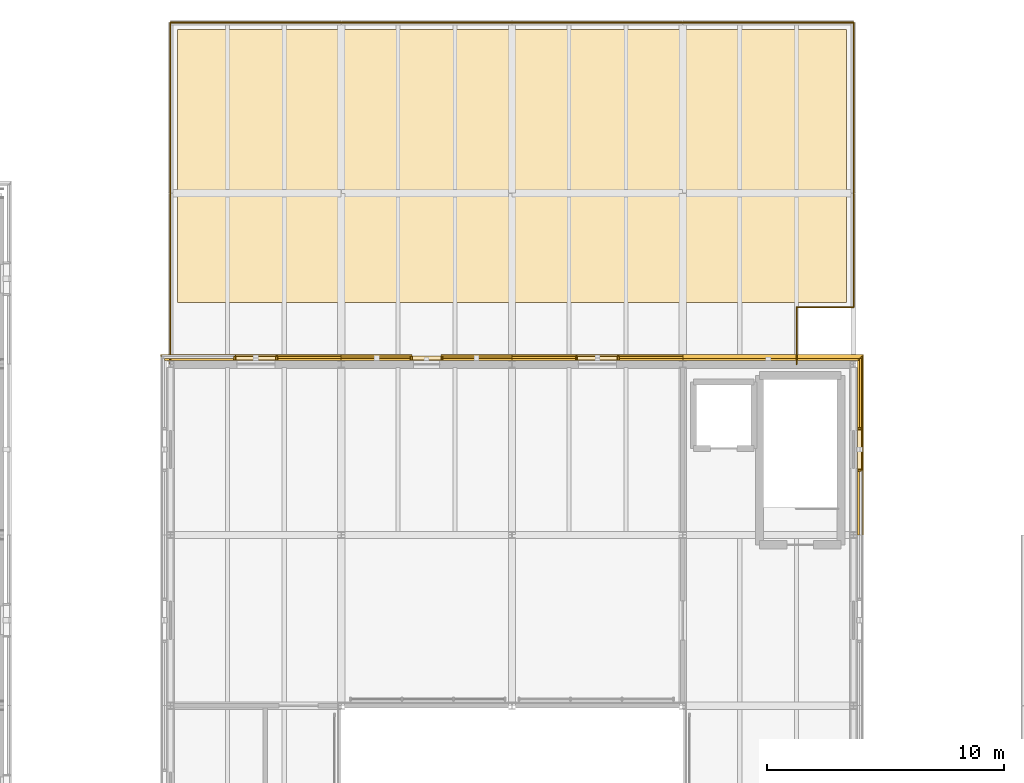
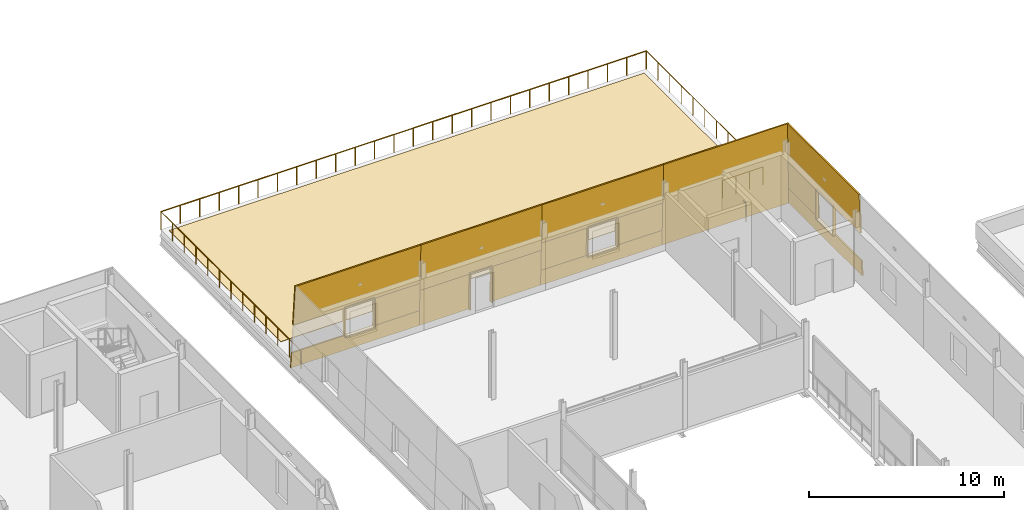
# One storey, part 65 of 66: 30 coverings, 5 railings.
"""IFC4 building model written with IfcOpenShell, lengths in metres."""

import ifcopenshell
import ifcopenshell.guid

model = None  # the IFC model being written
_history = None  # IfcOwnerHistory: only IFC2X3 demands one
_inside = {}  # id of a spatial element -> (the spatial element, [elements in it])
_under = {}  # id of a project, library or spatial element -> (it, [spatial elements below it])
_declared = {}  # id of a project -> (the project, [libraries it declares])
_typed = {}  # id of a type object -> (the type object, [elements of that type])
_made_of = {}  # id of a material, layer set ... -> (it, [elements and type objects made of it])


def new_model(schema):
    """Start an empty IFC model of exactly this schema.

    Asked for "IFC4X3", IfcOpenShell would pick the latest addendum, in which some entities
    have other attributes; the version numbers below select the first issue.
    IFC2X3 requires an IfcOwnerHistory on every rooted entity: one is made here for all.
    """
    global model, _history
    if schema == "IFC4X3":
        model = ifcopenshell.file(schema_version=(4, 3, 0, 0))
    else:
        model = ifcopenshell.file(schema=schema)
    _inside.clear()
    _under.clear()
    _declared.clear()
    _typed.clear()
    _made_of.clear()
    _history = None
    if model.schema == "IFC2X3":
        org = make("IfcOrganization", Name="unknown")
        user = make(
            "IfcPersonAndOrganization",
            ThePerson=make("IfcPerson", FamilyName="unknown"),
            TheOrganization=org,
        )
        app = make(
            "IfcApplication",
            ApplicationDeveloper=org,
            Version="unknown",
            ApplicationFullName="unknown",
            ApplicationIdentifier="unknown",
        )
        _history = make(
            "IfcOwnerHistory",
            OwningUser=user,
            OwningApplication=app,
            ChangeAction="ADDED",
            CreationDate=0,
        )
    return model


def make(cls, **values):
    """One entity of the class cls with the attributes given. An attribute that is None is left unset."""
    return model.create_entity(
        cls, **{name: value for name, value in values.items() if value is not None}
    )


def rooted(cls, **values):
    """An entity with a GlobalId (a new one), such as an element, a storey or a relation."""
    return make(cls, GlobalId=ifcopenshell.guid.new(), OwnerHistory=_history, **values)


def si_unit(unit_type, name, prefix=None):
    """IfcSIUnit, for example si_unit("LENGTHUNIT", "METRE", prefix="MILLI")."""
    return make("IfcSIUnit", UnitType=unit_type, Prefix=prefix, Name=name)


def assignment(units):
    """IfcUnitAssignment: the units of a project."""
    return None if units is None else make("IfcUnitAssignment", Units=units)


def point(xyz):
    """IfcCartesianPoint."""
    return None if xyz is None else make("IfcCartesianPoint", Coordinates=xyz)


def direction(xyz):
    """IfcDirection."""
    return None if xyz is None else make("IfcDirection", DirectionRatios=xyz)


def frame(location, z_axis=None, x_axis=None):
    """IfcAxis2Placement3D, a coordinate frame: its origin and axes. An axis left out is left unset."""
    return make(
        "IfcAxis2Placement3D",
        Location=point(location),
        Axis=direction(z_axis),
        RefDirection=direction(x_axis),
    )


def frame_2d(location, x_axis=None):
    """IfcAxis2Placement2D, a coordinate frame in the plane: its origin and x axis."""
    return make(
        "IfcAxis2Placement2D", Location=point(location), RefDirection=direction(x_axis)
    )


def origin():
    """The frame at (0, 0, 0) with its axes left unset."""
    return frame((0.0, 0.0, 0.0))


def origin_2d():
    """The frame at (0, 0) in the plane with its x axis left unset."""
    return frame_2d((0.0, 0.0))


def place(relative_to, where):
    """IfcLocalPlacement: puts the frame where relative to a parent placement (None: the world)."""
    return make(
        "IfcLocalPlacement", PlacementRelTo=relative_to, RelativePlacement=where
    )


def context(
    kind, dimensions, precision=None, world=None, true_north=None, identifier=None
):
    """IfcGeometricRepresentationContext, for example the 3D "Model" context."""
    return make(
        "IfcGeometricRepresentationContext",
        ContextIdentifier=identifier,
        ContextType=kind,
        CoordinateSpaceDimension=dimensions,
        Precision=precision,
        WorldCoordinateSystem=world,
        TrueNorth=true_north,
    )


def subcontext(parent, identifier, kind, view, scale=None):
    """IfcGeometricRepresentationSubContext, for example "Body" below "Model"."""
    return make(
        "IfcGeometricRepresentationSubContext",
        ContextIdentifier=identifier,
        ContextType=kind,
        ParentContext=parent,
        TargetScale=scale,
        TargetView=view,
    )


def project(units=None, contexts=None):
    """IfcProject with its units and contexts."""
    return rooted(
        "IfcProject",
        Name="project",
        RepresentationContexts=contexts,
        UnitsInContext=assignment(units),
    )


def spatial(cls, under=None, at=None, **own):
    """A site, building, storey or space (cls), placed at a placement, below another one or the project."""
    s = rooted(cls, ObjectPlacement=at, **own)
    if under is not None:
        _under.setdefault(under.id(), (under, []))[1].append(s)
    return s


def polyline(points):
    """IfcPolyline through the points."""
    return make("IfcPolyline", Points=[point(p) for p in points])


def profile(cls, at=None, kind="AREA", **sizes):
    """A parametric profile (cls). Its sizes go by their IFC names, for example OverallWidth=200.0."""
    return make(cls, ProfileType=kind, Position=at, **sizes)


def circle(**sizes):
    """IfcCircleProfileDef."""
    return profile("IfcCircleProfileDef", **sizes)


def outline(outer, holes=None, kind="AREA"):
    """IfcArbitraryClosedProfileDef: a profile drawn as a closed curve; with holes, ...WithVoids."""
    if holes is None:
        return make("IfcArbitraryClosedProfileDef", ProfileType=kind, OuterCurve=outer)
    return make(
        "IfcArbitraryProfileDefWithVoids",
        ProfileType=kind,
        OuterCurve=outer,
        InnerCurves=holes,
    )


def extrude(swept, where, along, depth):
    """IfcExtrudedAreaSolid: the profile swept, set in the frame where, extruded along a direction by depth."""
    return make(
        "IfcExtrudedAreaSolid",
        SweptArea=swept,
        Position=where,
        ExtrudedDirection=direction(along),
        Depth=depth,
    )


def shape(context_of_items, identifier, shape_type, items):
    """IfcShapeRepresentation: the items that make up one representation, for example the "Body"."""
    return make(
        "IfcShapeRepresentation",
        ContextOfItems=context_of_items,
        RepresentationIdentifier=identifier,
        RepresentationType=shape_type,
        Items=items,
    )


def material(Name=None, Category=None):
    """IfcMaterial."""
    return make("IfcMaterial", Name=Name, Category=Category)


def layer(
    of_material, thickness, ventilated=None, Name=None, Category=None, Priority=None
):
    """IfcMaterialLayer: one layer of a wall or slab, of a material (None: an air gap)."""
    return make(
        "IfcMaterialLayer",
        Material=of_material,
        LayerThickness=thickness,
        IsVentilated=ventilated,
        Name=Name,
        Category=Category,
        Priority=Priority,
    )


def layer_set(layers, Name=None):
    """IfcMaterialLayerSet."""
    return make("IfcMaterialLayerSet", MaterialLayers=layers, LayerSetName=Name)


def made_of(thing, what):
    """Note that an element or type object is made of a material, layer set ...; save() writes the relation."""
    if what is not None:
        _made_of.setdefault(what.id(), (what, []))[1].append(thing)
    return thing


def type_object(cls, material=None, **own):
    """A type object (cls), such as IfcWallType, which elements share."""
    return made_of(rooted(cls, **own), material)


def element(
    cls,
    number,
    at=None,
    inside=None,
    cuts=None,
    type_object=None,
    material=None,
    context=None,
    identifier="Body",
    shape_type=None,
    held_by="IfcProductDefinitionShape",
    body=None,
    shapes=None,
    **own,
):
    """One element of the class cls, such as IfcWall. Its Tag is "e" and its number.

    at: its placement. inside: the storey or other place that contains it. cuts: it is an
    opening in that element (IfcRelVoidsElement). A single representation is given by context,
    identifier, shape_type and body (its items); several are given by shapes. held_by: the class
    of the entity that holds the representations. save() writes the other relations.
    """
    e = rooted(cls, Tag="e%d" % number, ObjectPlacement=at, **own)
    if body is not None:
        shapes = [shape(context, identifier, shape_type, body)]
    if shapes is not None:
        e.Representation = make(held_by, Representations=shapes)
    if inside is not None:
        _inside.setdefault(inside.id(), (inside, []))[1].append(e)
    if cuts is not None:
        rooted(
            "IfcRelVoidsElement", RelatingBuildingElement=cuts, RelatedOpeningElement=e
        )
    if type_object is not None:
        _typed.setdefault(type_object.id(), (type_object, []))[1].append(e)
    return made_of(e, material)


def aggregate(whole, parts):
    """IfcRelAggregates: a whole, such as a stair, and the parts it consists of."""
    return rooted("IfcRelAggregates", RelatingObject=whole, RelatedObjects=parts)


def save(model, path):
    """Write the relations noted so far, then the file.

    IfcRelAggregates (storeys below a building ...), IfcRelContainedInSpatialStructure (elements
    in a storey), IfcRelDefinesByType, IfcRelAssociatesMaterial and IfcRelDeclares: one each for
    every whole, place, type object, material and project.
    """
    for whole, parts in _under.values():
        aggregate(whole, parts)
    for where, things in _inside.values():
        rooted(
            "IfcRelContainedInSpatialStructure",
            RelatedElements=things,
            RelatingStructure=where,
        )
    for kind, things in _typed.values():
        rooted("IfcRelDefinesByType", RelatedObjects=things, RelatingType=kind)
    for what, things in _made_of.values():
        rooted("IfcRelAssociatesMaterial", RelatedObjects=things, RelatingMaterial=what)
    for by, libraries in _declared.values():
        rooted("IfcRelDeclares", RelatingContext=by, RelatedDefinitions=libraries)
    model.write(path)


model = new_model("IFC4")

# Units and contexts
model_context = context("Model", 3, precision=1e-05, world=origin(), true_north=direction((0.0, 1.0)))
body_context = subcontext(model_context, "Body", "Model", "MODEL_VIEW")
ifc_project = project(units=[si_unit("LENGTHUNIT", "METRE"), si_unit("AREAUNIT", "SQUARE_METRE"), si_unit("VOLUMEUNIT", "CUBIC_METRE"), si_unit("PLANEANGLEUNIT", "RADIAN"), si_unit("MASSUNIT", "GRAM", prefix="KILO")], contexts=[model_context])

# Site, building, storey
site_placement = place(None, origin())
site = spatial("IfcSite", under=ifc_project, at=site_placement, CompositionType="ELEMENT")
building_placement = place(site_placement, origin())
building = spatial("IfcBuilding", under=site, at=building_placement, Name="Narikvali Park Central Library", CompositionType="ELEMENT")
storey_placement = place(building_placement, frame((0.0, 0.0, 18.60009765625)))
storey = spatial("IfcBuildingStorey", under=building, at=storey_placement, Name="L04", CompositionType="ELEMENT", Elevation=18.60009765625)

# Coverings
ifc_material_1 = material(Name="White Honed Limestone Cladding", Category="masonry")
ifc_layer_1 = layer(ifc_material_1, 0.0849609375, Name="White Honed Limestone Cladding")
ifc_layer_set_1 = layer_set([ifc_layer_1], Name="White Honed Limestone Cladding")
covering_type_1 = type_object("IfcCoveringType", Name="Battered White Limestone Facade Cladding Panel", PredefinedType="CLADDING", material=ifc_layer_set_1)
covering_1_placement = place(storey_placement, frame((58.013427734375, 93.60009765625, 0.0), z_axis=(0.999433733171, 0.0, 0.033648372924), x_axis=(0.0, 1.0, 0.0)))
element("IfcCovering", 1, at=covering_1_placement, inside=storey, type_object=covering_type_1, Name="V4 L04 E Battered Limestone Spandrel B06", PredefinedType="CLADDING", context=body_context, shape_type="SweptSolid", body=[
    extrude(outline(polyline([(0.0, 0.0), (7.5283203125, 0.0), (7.496337890625, 0.9504894024951968), (0.0, 0.9504894024951968), (0.0, 0.0)])), origin(), (0.0, 0.0, -1.0), 0.0849609375),
])
covering_2_placement = place(storey_placement, frame((57.922607421875, 93.60009765625, 2.699951171875), z_axis=(0.999433239835, 0.0, 0.033663022926), x_axis=(0.0, 1.0, 0.0)))
element("IfcCovering", 2, at=covering_2_placement, inside=storey, type_object=covering_type_1, Name="V4 L04 E Battered Limestone Lintel B06", PredefinedType="CLADDING", context=body_context, shape_type="SweptSolid", body=[
    extrude(outline(polyline([(0.0, 0.0), (7.4375, 0.0), (7.35498046875, 2.4513404940173866), (0.0, 2.4513404940173866), (0.0, 0.0)])), origin(), (0.0, 0.0, -1.0), 0.0849609375),
])
covering_3_placement = place(storey_placement, frame((57.9814453125, 98.0400390625, 0.949951171875), z_axis=(0.999435271004, 0.0, 0.033602664664), x_axis=(0.0, 1.0, 0.0)))
element("IfcCovering", 3, at=covering_3_placement, inside=storey, type_object=covering_type_1, Name="V4 L04 E Battered Limestone Jamb Pier R B06", PredefinedType="CLADDING", context=body_context, shape_type="SweptSolid", body=[
    extrude(outline(polyline([(0.0, 0.0), (3.056396484375, 0.0), (2.99755859375, 1.7509888341657693), (0.0, 1.7509888341657693), (0.0, 0.0)])), origin(), (0.0, 0.0, -1.0), 0.0849609375),
])
covering_4_placement = place(storey_placement, frame((58.013427734375, 101.21337890625, 0.0), z_axis=(0.0, 0.999434021421, 0.033639810145), x_axis=(-1.0, 0.0, 0.0)))
element("IfcCovering", 4, at=covering_4_placement, inside=storey, type_object=covering_type_1, Name="V4 L04 N Battered Limestone Panel B01", PredefinedType="CLADDING", context=body_context, shape_type="SweptSolid", body=[
    extrude(outline(polyline([(0.0, 0.0), (7.613525390625, 0.0), (7.613525390625, 5.152818728772925), (0.17333984375, 5.152818728772925), (0.0, 0.0)])), origin(), (0.0, 0.0, -1.0), 0.0849609375),
])
covering_5_placement = place(storey_placement, frame((50.39990234375, 101.21337890625, 0.0), z_axis=(0.0, 0.999433733171, 0.033648372924), x_axis=(-1.0, 0.0, 0.0)))
element("IfcCovering", 5, at=covering_5_placement, inside=storey, type_object=covering_type_1, Name="V4 L04 N Battered Limestone Spandrel B02", PredefinedType="CLADDING", context=body_context, shape_type="SweptSolid", body=[
    extrude(outline(polyline([(0.0, 0.0), (7.199951171875, 0.0), (7.199951171875, 0.950489402495197), (0.0, 0.950489402495197), (0.0, 0.0)])), origin(), (0.0, 0.0, -1.0), 0.0849609375),
])
covering_6_placement = place(storey_placement, frame((50.39990234375, 101.12255859375, 2.699951171875), z_axis=(0.0, 0.999433239835, 0.033663022926), x_axis=(-1.0, 0.0, 0.0)))
element("IfcCovering", 6, at=covering_6_placement, inside=storey, type_object=covering_type_1, Name="V4 L04 N Battered Limestone Lintel B02", PredefinedType="CLADDING", context=body_context, shape_type="SweptSolid", body=[
    extrude(outline(polyline([(0.0, 0.0), (7.199951171875, 0.0), (7.199951171875, 2.451340494017387), (0.0, 2.451340494017387), (0.0, 0.0)])), origin(), (0.0, 0.0, -1.0), 0.0849609375),
])
for number, where, z_axis, x_axis, name in (
    (7, (50.39990234375, 101.181396484375, 0.949951171875), (0.0, 0.999435271004, 0.033602664664), (-1.0, 0.0, 0.0), "V4 L04 N Battered Limestone Jamb Pier L B02"),
    (8, (45.9599609375, 101.181396484375, 0.949951171875), (0.0, 0.999435271004, 0.033602664664), (-1.0, 0.0, 0.0), "V4 L04 N Battered Limestone Jamb Pier R B02"),
):
    element("IfcCovering", number, at=place(storey_placement, frame(where, z_axis=z_axis, x_axis=x_axis)), inside=storey, type_object=covering_type_1, Name=name, PredefinedType="CLADDING", context=body_context, shape_type="SweptSolid", body=[
        extrude(outline(polyline([(0.0, 0.0), (2.760009765625, 0.0), (2.760009765625, 1.7509888341657693), (0.0, 1.7509888341657693), (0.0, 0.0)])), origin(), (0.0, 0.0, -1.0), 0.0849609375),
    ])
for number, where, z_axis, x_axis, name in (
    (9, (43.199951171875, 101.21337890625, 0.0), (0.0, 0.999433362172, 0.033659390617), (-1.0, 0.0, 0.0), "V4 L04 N Battered Portal Pier L B03"),
    (10, (38.989990234375, 101.21337890625, 0.0), (0.0, 0.999433362172, 0.033659390617), (-1.0, 0.0, 0.0), "V4 L04 N Battered Portal Pier R B03"),
):
    element("IfcCovering", number, at=place(storey_placement, frame(where, z_axis=z_axis, x_axis=x_axis)), inside=storey, type_object=covering_type_1, Name=name, PredefinedType="CLADDING", context=body_context, shape_type="SweptSolid", body=[
        extrude(outline(polyline([(0.0, 0.0), (2.989990234375, 0.0), (2.989990234375, 2.241260217195488), (0.0, 2.241260217195488), (0.0, 0.0)])), origin(), (0.0, 0.0, -1.0), 0.0849609375),
    ])
covering_7_placement = place(storey_placement, frame((43.199951171875, 101.137939453125, 2.239990234375), z_axis=(0.0, 0.999434528636, 0.033624737477), x_axis=(-1.0, 0.0, 0.0)))
element("IfcCovering", 11, at=covering_7_placement, inside=storey, type_object=covering_type_1, Name="V4 L04 N Battered Portal Header B03", PredefinedType="CLADDING", context=body_context, shape_type="SweptSolid", body=[
    extrude(outline(polyline([(0.0, 0.0), (7.199951171875, 0.0), (7.199951171875, 2.911558512338673), (0.0, 2.911558512338673), (0.0, 0.0)])), origin(), (0.0, 0.0, -1.0), 0.0849609375),
])
covering_8_placement = place(storey_placement, frame((36.0, 101.21337890625, 0.0), z_axis=(0.0, 0.999433733171, 0.033648372924), x_axis=(-1.0, 0.0, 0.0)))
element("IfcCovering", 12, at=covering_8_placement, inside=storey, type_object=covering_type_1, Name="V4 L04 N Battered Limestone Spandrel B04", PredefinedType="CLADDING", context=body_context, shape_type="SweptSolid", body=[
    extrude(outline(polyline([(0.0, 0.0), (7.613525390625, 0.0), (7.58154296875, 0.9504894024951969), (0.0, 0.9504894024951969), (0.0, 0.0)])), origin(), (0.0, 0.0, -1.0), 0.0849609375),
])
covering_9_placement = place(storey_placement, frame((36.0, 101.12255859375, 2.699951171875), z_axis=(0.0, 0.999433239835, 0.033663022926), x_axis=(-1.0, 0.0, 0.0)))
element("IfcCovering", 13, at=covering_9_placement, inside=storey, type_object=covering_type_1, Name="V4 L04 N Battered Limestone Lintel B04", PredefinedType="CLADDING", context=body_context, shape_type="SweptSolid", body=[
    extrude(outline(polyline([(0.0, 0.0), (7.5224609375, 0.0), (7.43994140625, 2.451340494017386), (0.0, 2.451340494017386), (0.0, 0.0)])), origin(), (0.0, 0.0, -1.0), 0.0849609375),
])
covering_10_placement = place(storey_placement, frame((36.0, 101.181396484375, 0.949951171875), z_axis=(0.0, 0.999435271004, 0.033602664664), x_axis=(-1.0, 0.0, 0.0)))
element("IfcCovering", 14, at=covering_10_placement, inside=storey, type_object=covering_type_1, Name="V4 L04 N Battered Limestone Jamb Pier L B04", PredefinedType="CLADDING", context=body_context, shape_type="SweptSolid", body=[
    extrude(outline(polyline([(0.0, 0.0), (2.760009765625, 0.0), (2.760009765625, 1.7509888341657693), (0.0, 1.7509888341657693), (0.0, 0.0)])), origin(), (0.0, 0.0, -1.0), 0.0849609375),
])
ifc_layer_2 = layer(ifc_material_1, 0.080078125, Name="White Honed Limestone Cladding")
ifc_layer_set_2 = layer_set([ifc_layer_2], Name="White Honed Limestone Cladding")
covering_type_2 = type_object("IfcCoveringType", Name="Deep Carved White Limestone Window Reveal", PredefinedType="CLADDING", material=ifc_layer_set_2)
covering_11_placement = place(storey_placement, frame((0.0, 0.0, 2.699951171875)))
element("IfcCovering", 15, at=covering_11_placement, inside=storey, type_object=covering_type_2, Name="Deep Stone Reveal Head V4-RVL-L04-E-B06", PredefinedType="CLADDING", context=body_context, shape_type="SweptSolid", body=[
    extrude(outline(polyline([(57.764892578125, 96.320068359375), (57.764892578125, 98.080078125), (57.922607421875, 98.080078125), (57.922607421875, 96.320068359375), (57.764892578125, 96.320068359375)])), origin(), (0.0, 0.0, 1.0), 0.079833984375),
])
covering_12_placement = place(storey_placement, frame((0.0, 0.0, 0.869873046875)))
element("IfcCovering", 16, at=covering_12_placement, inside=storey, type_object=covering_type_2, Name="Deep Stone Reveal Sill V4-RVL-L04-E-B06", PredefinedType="CLADDING", context=body_context, shape_type="SweptSolid", body=[
    extrude(outline(polyline([(57.764892578125, 96.320068359375), (57.764892578125, 98.080078125), (57.9814453125, 98.080078125), (57.9814453125, 96.320068359375), (57.764892578125, 96.320068359375)])), origin(), (0.0, 0.0, 1.0), 0.080078125),
])
covering_13_placement = place(storey_placement, frame((0.0, 0.0, 0.949951171875)))
element("IfcCovering", 17, at=covering_13_placement, inside=storey, type_object=covering_type_2, Name="Deep Stone Reveal Jamb L V4-RVL-L04-E-B06", PredefinedType="CLADDING", context=body_context, shape_type="SweptSolid", body=[
    extrude(outline(polyline([(57.764892578125, 96.280029296875), (57.764892578125, 96.360107421875), (57.922607421875, 96.360107421875), (57.922607421875, 96.280029296875), (57.764892578125, 96.280029296875)])), origin(), (0.0, 0.0, 1.0), 1.75),
])
covering_14_placement = place(storey_placement, frame((0.0, 0.0, 0.949951171875)))
element("IfcCovering", 18, at=covering_14_placement, inside=storey, type_object=covering_type_2, Name="Deep Stone Reveal Jamb R V4-RVL-L04-E-B06", PredefinedType="CLADDING", context=body_context, shape_type="SweptSolid", body=[
    extrude(outline(polyline([(57.764892578125, 98.0400390625), (57.764892578125, 98.1201171875), (57.922607421875, 98.1201171875), (57.922607421875, 98.0400390625), (57.764892578125, 98.0400390625)])), origin(), (0.0, 0.0, 1.0), 1.75),
])
covering_15_placement = place(storey_placement, frame((0.0, 0.0, 2.699951171875)))
element("IfcCovering", 19, at=covering_15_placement, inside=storey, type_object=covering_type_2, Name="Deep Stone Reveal Head V4-RVL-L04-N-B02", PredefinedType="CLADDING", context=body_context, shape_type="SweptSolid", body=[
    extrude(outline(polyline([(47.679931640625, 100.965087890625), (45.919921875, 100.965087890625), (45.919921875, 101.12255859375), (47.679931640625, 101.12255859375), (47.679931640625, 100.965087890625)])), origin(), (0.0, 0.0, 1.0), 0.079833984375),
])
covering_16_placement = place(storey_placement, frame((0.0, 0.0, 0.869873046875)))
element("IfcCovering", 20, at=covering_16_placement, inside=storey, type_object=covering_type_2, Name="Deep Stone Reveal Sill V4-RVL-L04-N-B02", PredefinedType="CLADDING", context=body_context, shape_type="SweptSolid", body=[
    extrude(outline(polyline([(47.679931640625, 100.965087890625), (45.919921875, 100.965087890625), (45.919921875, 101.181396484375), (47.679931640625, 101.181396484375), (47.679931640625, 100.965087890625)])), origin(), (0.0, 0.0, 1.0), 0.080078125),
])
covering_17_placement = place(storey_placement, frame((0.0, 0.0, 0.949951171875)))
element("IfcCovering", 21, at=covering_17_placement, inside=storey, type_object=covering_type_2, Name="Deep Stone Reveal Jamb L V4-RVL-L04-N-B02", PredefinedType="CLADDING", context=body_context, shape_type="SweptSolid", body=[
    extrude(outline(polyline([(47.719970703125, 100.965087890625), (47.639892578125, 100.965087890625), (47.639892578125, 101.12255859375), (47.719970703125, 101.12255859375), (47.719970703125, 100.965087890625)])), origin(), (0.0, 0.0, 1.0), 1.75),
])
covering_18_placement = place(storey_placement, frame((0.0, 0.0, 0.949951171875)))
element("IfcCovering", 22, at=covering_18_placement, inside=storey, type_object=covering_type_2, Name="Deep Stone Reveal Jamb R V4-RVL-L04-N-B02", PredefinedType="CLADDING", context=body_context, shape_type="SweptSolid", body=[
    extrude(outline(polyline([(45.9599609375, 100.965087890625), (45.8798828125, 100.965087890625), (45.8798828125, 101.12255859375), (45.9599609375, 101.12255859375), (45.9599609375, 100.965087890625)])), origin(), (0.0, 0.0, 1.0), 1.75),
])
covering_19_placement = place(storey_placement, frame((0.0, 0.0, 2.239990234375)))
element("IfcCovering", 23, at=covering_19_placement, inside=storey, type_object=covering_type_2, Name="Deep Stone Reveal Head V4-RVL-L04-N-B03", PredefinedType="CLADDING", context=body_context, shape_type="SweptSolid", body=[
    extrude(outline(polyline([(40.25, 100.965087890625), (38.949951171875, 100.965087890625), (38.949951171875, 101.137939453125), (40.25, 101.137939453125), (40.25, 100.965087890625)])), origin(), (0.0, 0.0, 1.0), 0.079833984375),
])
covering_20_placement = place(storey_placement, frame((0.0, 0.0, 0.02001953125)))
element("IfcCovering", 24, at=covering_20_placement, inside=storey, type_object=covering_type_2, Name="Deep Stone Reveal Jamb L V4-RVL-L04-N-B03", PredefinedType="CLADDING", context=body_context, shape_type="SweptSolid", body=[
    extrude(outline(polyline([(40.2900390625, 100.965087890625), (40.2099609375, 100.965087890625), (40.2099609375, 101.137939453125), (40.2900390625, 101.137939453125), (40.2900390625, 100.965087890625)])), origin(), (0.0, 0.0, 1.0), 2.219970703125),
])
covering_21_placement = place(storey_placement, frame((0.0, 0.0, 0.02001953125)))
element("IfcCovering", 25, at=covering_21_placement, inside=storey, type_object=covering_type_2, Name="Deep Stone Reveal Jamb R V4-RVL-L04-N-B03", PredefinedType="CLADDING", context=body_context, shape_type="SweptSolid", body=[
    extrude(outline(polyline([(38.989990234375, 100.965087890625), (38.909912109375, 100.965087890625), (38.909912109375, 101.137939453125), (38.989990234375, 101.137939453125), (38.989990234375, 100.965087890625)])), origin(), (0.0, 0.0, 1.0), 2.219970703125),
])
covering_22_placement = place(storey_placement, frame((0.0, 0.0, 2.699951171875)))
element("IfcCovering", 26, at=covering_22_placement, inside=storey, type_object=covering_type_2, Name="Deep Stone Reveal Head V4-RVL-L04-N-B04", PredefinedType="CLADDING", context=body_context, shape_type="SweptSolid", body=[
    extrude(outline(polyline([(33.280029296875, 100.965087890625), (31.52001953125, 100.965087890625), (31.52001953125, 101.12255859375), (33.280029296875, 101.12255859375), (33.280029296875, 100.965087890625)])), origin(), (0.0, 0.0, 1.0), 0.079833984375),
])
covering_23_placement = place(storey_placement, frame((0.0, 0.0, 0.869873046875)))
element("IfcCovering", 27, at=covering_23_placement, inside=storey, type_object=covering_type_2, Name="Deep Stone Reveal Sill V4-RVL-L04-N-B04", PredefinedType="CLADDING", context=body_context, shape_type="SweptSolid", body=[
    extrude(outline(polyline([(33.280029296875, 100.965087890625), (31.52001953125, 100.965087890625), (31.52001953125, 101.181396484375), (33.280029296875, 101.181396484375), (33.280029296875, 100.965087890625)])), origin(), (0.0, 0.0, 1.0), 0.080078125),
])
covering_24_placement = place(storey_placement, frame((0.0, 0.0, 0.949951171875)))
element("IfcCovering", 28, at=covering_24_placement, inside=storey, type_object=covering_type_2, Name="Deep Stone Reveal Jamb L V4-RVL-L04-N-B04", PredefinedType="CLADDING", context=body_context, shape_type="SweptSolid", body=[
    extrude(outline(polyline([(33.320068359375, 100.965087890625), (33.239990234375, 100.965087890625), (33.239990234375, 101.12255859375), (33.320068359375, 101.12255859375), (33.320068359375, 100.965087890625)])), origin(), (0.0, 0.0, 1.0), 1.75),
])
covering_25_placement = place(storey_placement, frame((0.0, 0.0, 0.949951171875)))
element("IfcCovering", 29, at=covering_25_placement, inside=storey, type_object=covering_type_2, Name="Deep Stone Reveal Jamb R V4-RVL-L04-N-B04", PredefinedType="CLADDING", context=body_context, shape_type="SweptSolid", body=[
    extrude(outline(polyline([(31.56005859375, 100.965087890625), (31.47998046875, 100.965087890625), (31.47998046875, 101.12255859375), (31.56005859375, 101.12255859375), (31.56005859375, 100.965087890625)])), origin(), (0.0, 0.0, 1.0), 1.75),
])
ifc_material_2 = material(Name="Root-Resistant EPDM Waterproofing Membrane")
ifc_layer_3 = layer(ifc_material_2, 0.02490234375, Name="Root-Resistant EPDM Waterproofing Membrane")
ifc_layer_set_3 = layer_set([ifc_layer_3], Name="Root-Resistant EPDM Waterproofing Membrane")
covering_type_3 = type_object("IfcCoveringType", Name="Planted Roof Waterproofing Membrane", PredefinedType="MEMBRANE", material=ifc_layer_set_3)
covering_26_placement = place(storey_placement, origin())
element("IfcCovering", 30, at=covering_26_placement, inside=storey, type_object=covering_type_3, Name="V4 L04 Terrace EPDM Membrane", PredefinedType="MEMBRANE", context=body_context, shape_type="SweptSolid", body=[
    extrude(outline(polyline([(29.10009765625, 103.39990234375), (57.300048828125, 103.39990234375), (57.300048828125, 114.89990234375), (29.10009765625, 114.89990234375), (29.10009765625, 103.39990234375)])), origin(), (0.0, 0.0, 1.0), 0.02490234375),
])

# Railings
ifc_material_3 = material(Name="Anodised Bronze and White Limestone", Category="masonry")
ifc_layer_4 = layer(ifc_material_3, 0.080078125, Name="Anodised Bronze and White Limestone")
ifc_layer_set_4 = layer_set([ifc_layer_4], Name="Anodised Bronze and White Limestone")
railing_type = type_object("IfcRailingType", Name="Terrace Stone and Bronze Balustrade 1150", PredefinedType="BALUSTRADE", material=ifc_layer_set_4)
railing_1_placement = place(storey_placement, frame((55.199951171875, 100.800048828125, 0.0)))
element("IfcRailing", 31, at=railing_1_placement, inside=storey, type_object=railing_type, Name="V4 L04 Roof Garden Balustrade 2", PredefinedType="BALUSTRADE", context=body_context, shape_type="SweptSolid", body=[
    extrude(circle(Radius=0.02392578125, at=origin_2d()), frame((0.0, 0.0, 1.1259765625), z_axis=(0.0, 1.0, 0.0), x_axis=(-1.0, 0.0, 0.0)), (0.0, 0.0, 1.0), 2.39990234375),
    extrude(circle(Radius=0.02099609375, at=origin_2d()), origin(), (0.0, 0.0, 1.0), 1.101806640625),
    extrude(circle(Radius=0.02099609375, at=origin_2d()), frame((0.0, 1.199951171875, 0.0)), (0.0, 0.0, 1.0), 1.101806640625),
    extrude(circle(Radius=0.02099609375, at=origin_2d()), frame((0.0, 2.39990234375, 0.0)), (0.0, 0.0, 1.0), 1.101806640625),
])
railing_2_placement = place(storey_placement, frame((55.199951171875, 103.199951171875, 0.0)))
element("IfcRailing", 32, at=railing_2_placement, inside=storey, type_object=railing_type, Name="V4 L04 Roof Garden Balustrade 3", PredefinedType="BALUSTRADE", context=body_context, shape_type="SweptSolid", body=[
    extrude(circle(Radius=0.02392578125, at=origin_2d()), frame((0.0, 0.0, 1.1259765625), z_axis=(1.0, 0.0, 0.0), x_axis=(0.0, 1.0, 0.0)), (0.0, 0.0, 1.0), 2.400146484375),
    extrude(circle(Radius=0.02099609375, at=origin_2d()), origin(), (0.0, 0.0, 1.0), 1.101806640625),
    extrude(circle(Radius=0.02099609375, at=origin_2d()), frame((0.800048828125, 0.0, 0.0)), (0.0, 0.0, 1.0), 1.101806640625),
    extrude(circle(Radius=0.02099609375, at=origin_2d()), frame((1.60009765625, 0.0, 0.0)), (0.0, 0.0, 1.0), 1.101806640625),
    extrude(circle(Radius=0.02099609375, at=origin_2d()), frame((2.400146484375, 0.0, 0.0)), (0.0, 0.0, 1.0), 1.101806640625),
])
railing_3_placement = place(storey_placement, frame((57.60009765625, 103.199951171875, 0.0)))
element("IfcRailing", 33, at=railing_3_placement, inside=storey, type_object=railing_type, Name="V4 L04 Roof Garden Balustrade 4", PredefinedType="BALUSTRADE", context=body_context, shape_type="SweptSolid", body=[
    extrude(circle(Radius=0.02392578125, at=origin_2d()), frame((0.0, 0.0, 1.1259765625), z_axis=(0.0, 1.0, 0.0), x_axis=(-1.0, 0.0, 0.0)), (0.0, 0.0, 1.0), 12.0),
    extrude(circle(Radius=0.02099609375, at=origin_2d()), origin(), (0.0, 0.0, 1.0), 1.101806640625),
    extrude(circle(Radius=0.02099609375, at=origin_2d()), frame((0.0, 1.199951171875, 0.0)), (0.0, 0.0, 1.0), 1.101806640625),
    extrude(circle(Radius=0.02099609375, at=origin_2d()), frame((0.0, 2.39990234375, 0.0)), (0.0, 0.0, 1.0), 1.101806640625),
    extrude(circle(Radius=0.02099609375, at=origin_2d()), frame((0.0, 3.60009765625, 0.0)), (0.0, 0.0, 1.0), 1.101806640625),
    extrude(circle(Radius=0.02099609375, at=origin_2d()), frame((0.0, 4.800048828125, 0.0)), (0.0, 0.0, 1.0), 1.101806640625),
    extrude(circle(Radius=0.02099609375, at=origin_2d()), frame((0.0, 6.0, 0.0)), (0.0, 0.0, 1.0), 1.101806640625),
    extrude(circle(Radius=0.02099609375, at=origin_2d()), frame((0.0, 7.199951171875, 0.0)), (0.0, 0.0, 1.0), 1.101806640625),
    extrude(circle(Radius=0.02099609375, at=origin_2d()), frame((0.0, 8.39990234375, 0.0)), (0.0, 0.0, 1.0), 1.101806640625),
    extrude(circle(Radius=0.02099609375, at=origin_2d()), frame((0.0, 9.60009765625, 0.0)), (0.0, 0.0, 1.0), 1.101806640625),
    extrude(circle(Radius=0.02099609375, at=origin_2d()), frame((0.0, 10.800048828125, 0.0)), (0.0, 0.0, 1.0), 1.101806640625),
    extrude(circle(Radius=0.02099609375, at=origin_2d()), frame((0.0, 12.0, 0.0)), (0.0, 0.0, 1.0), 1.101806640625),
])
railing_4_placement = place(storey_placement, frame((57.60009765625, 115.199951171875, 0.0)))
element("IfcRailing", 34, at=railing_4_placement, inside=storey, type_object=railing_type, Name="V4 L04 Roof Garden Balustrade 5", PredefinedType="BALUSTRADE", context=body_context, shape_type="SweptSolid", body=[
    extrude(circle(Radius=0.02392578125, at=origin_2d()), frame((0.0, 0.0, 1.1259765625), z_axis=(-1.0, 0.0, 0.0), x_axis=(0.0, -1.0, 0.0)), (0.0, 0.0, 1.0), 28.800048828125),
    extrude(circle(Radius=0.02099609375, at=origin_2d()), origin(), (0.0, 0.0, 1.0), 1.101806640625),
    extrude(circle(Radius=0.02099609375, at=origin_2d()), frame((-1.152099609375, 0.0, 0.0)), (0.0, 0.0, 1.0), 1.101806640625),
    extrude(circle(Radius=0.02099609375, at=origin_2d()), frame((-2.303955078125, 0.0, 0.0)), (0.0, 0.0, 1.0), 1.101806640625),
    extrude(circle(Radius=0.02099609375, at=origin_2d()), frame((-3.4560546875, 0.0, 0.0)), (0.0, 0.0, 1.0), 1.101806640625),
    extrude(circle(Radius=0.02099609375, at=origin_2d()), frame((-4.60791015625, 0.0, 0.0)), (0.0, 0.0, 1.0), 1.101806640625),
    extrude(circle(Radius=0.02099609375, at=origin_2d()), frame((-5.760009765625, 0.0, 0.0)), (0.0, 0.0, 1.0), 1.101806640625),
    extrude(circle(Radius=0.02099609375, at=origin_2d()), frame((-6.912109375, 0.0, 0.0)), (0.0, 0.0, 1.0), 1.101806640625),
    extrude(circle(Radius=0.02099609375, at=origin_2d()), frame((-8.06396484375, 0.0, 0.0)), (0.0, 0.0, 1.0), 1.101806640625),
    extrude(circle(Radius=0.02099609375, at=origin_2d()), frame((-9.216064453125, 0.0, 0.0)), (0.0, 0.0, 1.0), 1.101806640625),
    extrude(circle(Radius=0.02099609375, at=origin_2d()), frame((-10.367919921875, 0.0, 0.0)), (0.0, 0.0, 1.0), 1.101806640625),
    extrude(circle(Radius=0.02099609375, at=origin_2d()), frame((-11.52001953125, 0.0, 0.0)), (0.0, 0.0, 1.0), 1.101806640625),
    extrude(circle(Radius=0.02099609375, at=origin_2d()), frame((-12.672119140625, 0.0, 0.0)), (0.0, 0.0, 1.0), 1.101806640625),
    extrude(circle(Radius=0.02099609375, at=origin_2d()), frame((-13.823974609375, 0.0, 0.0)), (0.0, 0.0, 1.0), 1.101806640625),
    extrude(circle(Radius=0.02099609375, at=origin_2d()), frame((-14.97607421875, 0.0, 0.0)), (0.0, 0.0, 1.0), 1.101806640625),
    extrude(circle(Radius=0.02099609375, at=origin_2d()), frame((-16.1279296875, 0.0, 0.0)), (0.0, 0.0, 1.0), 1.101806640625),
    extrude(circle(Radius=0.02099609375, at=origin_2d()), frame((-17.280029296875, 0.0, 0.0)), (0.0, 0.0, 1.0), 1.101806640625),
    extrude(circle(Radius=0.02099609375, at=origin_2d()), frame((-18.43212890625, 0.0, 0.0)), (0.0, 0.0, 1.0), 1.101806640625),
    extrude(circle(Radius=0.02099609375, at=origin_2d()), frame((-19.583984375, 0.0, 0.0)), (0.0, 0.0, 1.0), 1.101806640625),
    extrude(circle(Radius=0.02099609375, at=origin_2d()), frame((-20.736083984375, 0.0, 0.0)), (0.0, 0.0, 1.0), 1.101806640625),
    extrude(circle(Radius=0.02099609375, at=origin_2d()), frame((-21.887939453125, 0.0, 0.0)), (0.0, 0.0, 1.0), 1.101806640625),
    extrude(circle(Radius=0.02099609375, at=origin_2d()), frame((-23.0400390625, 0.0, 0.0)), (0.0, 0.0, 1.0), 1.101806640625),
    extrude(circle(Radius=0.02099609375, at=origin_2d()), frame((-24.192138671875, 0.0, 0.0)), (0.0, 0.0, 1.0), 1.101806640625),
    extrude(circle(Radius=0.02099609375, at=origin_2d()), frame((-25.343994140625, 0.0, 0.0)), (0.0, 0.0, 1.0), 1.101806640625),
    extrude(circle(Radius=0.02099609375, at=origin_2d()), frame((-26.49609375, 0.0, 0.0)), (0.0, 0.0, 1.0), 1.101806640625),
    extrude(circle(Radius=0.02099609375, at=origin_2d()), frame((-27.64794921875, 0.0, 0.0)), (0.0, 0.0, 1.0), 1.101806640625),
    extrude(circle(Radius=0.02099609375, at=origin_2d()), frame((-28.800048828125, 0.0, 0.0)), (0.0, 0.0, 1.0), 1.101806640625),
])
railing_5_placement = place(storey_placement, frame((28.800048828125, 115.199951171875, 0.0)))
element("IfcRailing", 35, at=railing_5_placement, inside=storey, type_object=railing_type, Name="V4 L04 Roof Garden Balustrade 6", PredefinedType="BALUSTRADE", context=body_context, shape_type="SweptSolid", body=[
    extrude(circle(Radius=0.02392578125, at=origin_2d()), frame((0.0, 0.0, 1.1259765625), z_axis=(0.0, -1.0, 0.0), x_axis=(1.0, 0.0, 0.0)), (0.0, 0.0, 1.0), 14.39990234375),
    extrude(circle(Radius=0.02099609375, at=origin_2d()), origin(), (0.0, 0.0, 1.0), 1.101806640625),
    extrude(circle(Radius=0.02099609375, at=origin_2d()), frame((0.0, -1.199951171875, 0.0)), (0.0, 0.0, 1.0), 1.101806640625),
    extrude(circle(Radius=0.02099609375, at=origin_2d()), frame((0.0, -2.39990234375, 0.0)), (0.0, 0.0, 1.0), 1.101806640625),
    extrude(circle(Radius=0.02099609375, at=origin_2d()), frame((0.0, -3.60009765625, 0.0)), (0.0, 0.0, 1.0), 1.101806640625),
    extrude(circle(Radius=0.02099609375, at=origin_2d()), frame((0.0, -4.800048828125, 0.0)), (0.0, 0.0, 1.0), 1.101806640625),
    extrude(circle(Radius=0.02099609375, at=origin_2d()), frame((0.0, -6.0, 0.0)), (0.0, 0.0, 1.0), 1.101806640625),
    extrude(circle(Radius=0.02099609375, at=origin_2d()), frame((0.0, -7.199951171875, 0.0)), (0.0, 0.0, 1.0), 1.101806640625),
    extrude(circle(Radius=0.02099609375, at=origin_2d()), frame((0.0, -8.39990234375, 0.0)), (0.0, 0.0, 1.0), 1.101806640625),
    extrude(circle(Radius=0.02099609375, at=origin_2d()), frame((0.0, -9.599853515625, 0.0)), (0.0, 0.0, 1.0), 1.101806640625),
    extrude(circle(Radius=0.02099609375, at=origin_2d()), frame((0.0, -10.7998046875, 0.0)), (0.0, 0.0, 1.0), 1.101806640625),
    extrude(circle(Radius=0.02099609375, at=origin_2d()), frame((0.0, -12.0, 0.0)), (0.0, 0.0, 1.0), 1.101806640625),
    extrude(circle(Radius=0.02099609375, at=origin_2d()), frame((0.0, -13.199951171875, 0.0)), (0.0, 0.0, 1.0), 1.101806640625),
    extrude(circle(Radius=0.02099609375, at=origin_2d()), frame((0.0, -14.39990234375, 0.0)), (0.0, 0.0, 1.0), 1.101806640625),
])

save(model, "model.ifc")
